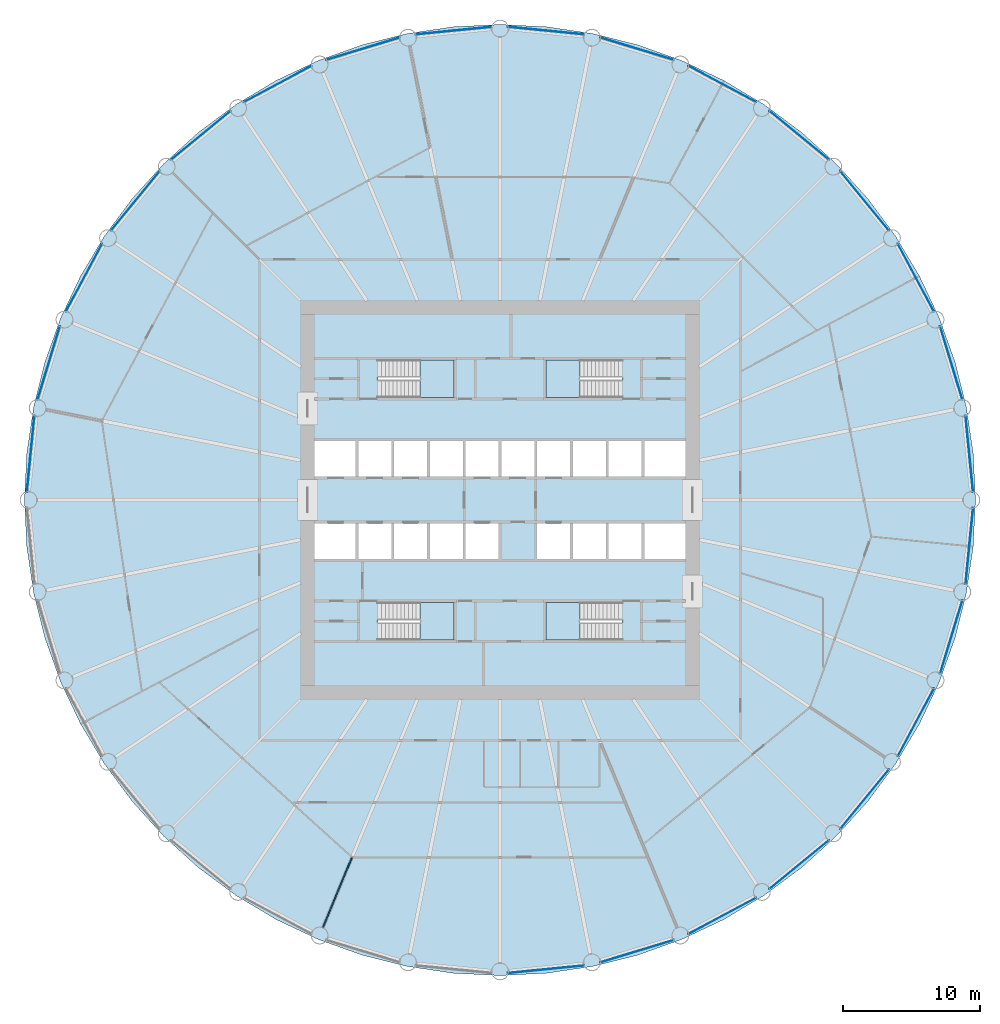
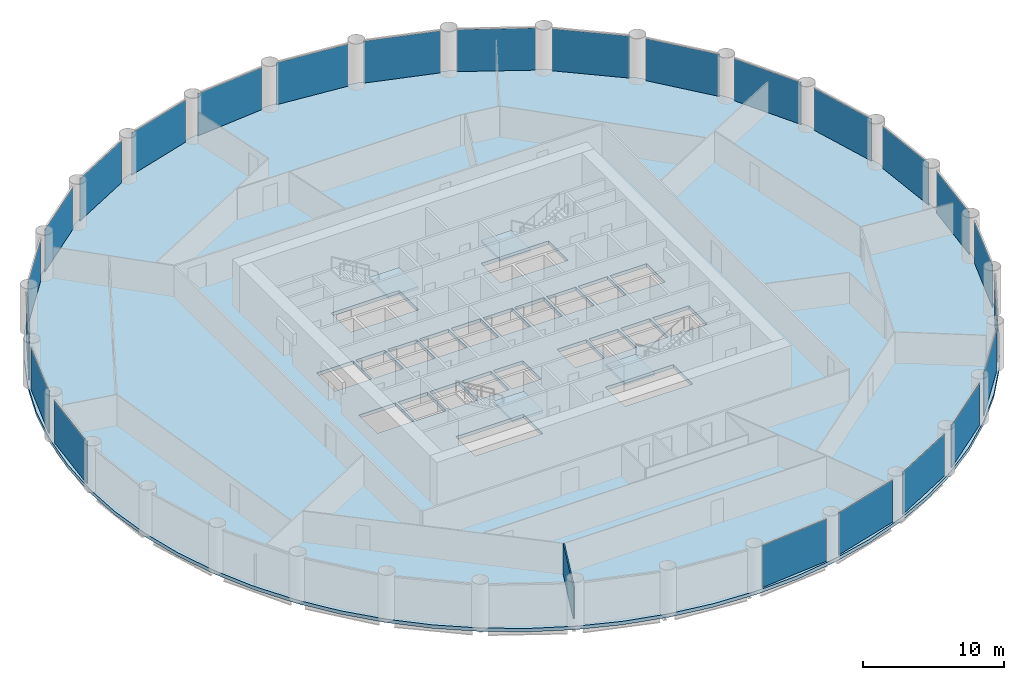
# One storey, part 3 of 8: 24 plates, 5 slabs, 1 wall, 28 elements without a shape of their own.
"""IFC4 building model written with IfcOpenShell, lengths in metres."""

from ifc_helpers import new_model, si_unit, direction, frame, frame_2d, origin, origin_2d, place, context, subcontext, project, spatial, polyline, rectangle, outline, extrude, material, layer, layer_set, type_object, element, aggregate, save


model = new_model("IFC4")

# Units and contexts
model_context = context("Model", 3, precision=1e-05, world=origin(), true_north=direction((0.0, 1.0)))
body_context = subcontext(model_context, "Body", "Model", "MODEL_VIEW")
ifc_project = project(units=[si_unit("LENGTHUNIT", "METRE"), si_unit("AREAUNIT", "SQUARE_METRE"), si_unit("VOLUMEUNIT", "CUBIC_METRE"), si_unit("PLANEANGLEUNIT", "RADIAN"), si_unit("MASSUNIT", "GRAM", prefix="KILO")], contexts=[model_context])

# Site, building, storey
site_placement = place(None, origin())
site = spatial("IfcSite", under=ifc_project, at=site_placement, CompositionType="ELEMENT")
building_placement = place(site_placement, origin())
building = spatial("IfcBuilding", under=site, at=building_placement, Name="Corvane Civic Tower", CompositionType="ELEMENT")
storey_placement = place(building_placement, frame((0.0, 0.0, 110.5)))
storey = spatial("IfcBuildingStorey", under=building, at=storey_placement, Name="L25", CompositionType="ELEMENT", Elevation=110.5)

# Slab
ifc_material_1 = material(Name="Concrete C40/50", Category="concrete")
ifc_layer_1 = layer(ifc_material_1, 0.300048828125)
ifc_layer_set_1 = layer_set([ifc_layer_1], Name="Concrete C40/50")
slab_type_1 = type_object("IfcSlabType", Name="FLOOR SLAB 300", PredefinedType="FLOOR", material=ifc_layer_set_1)
slab_1_placement = place(storey_placement, frame((0.0, 0.0, -0.300048828125)))
element("IfcSlab", 1, at=slab_1_placement, inside=storey, type_object=slab_type_1, Name="SLB-L25", PredefinedType="FLOOR", context=body_context, shape_type="SweptSolid", body=[
    extrude(outline(polyline([(0.0, 34.60009765625), (-3.391357421875, 34.433349609375), (-6.750244140625, 33.93505859375), (-10.0439453125, 33.110107421875), (-13.240966796875, 31.96630859375), (-16.310302734375, 30.514404296875), (-19.22265625, 28.768798828125), (-21.949951171875, 26.74609375), (-24.4658203125, 24.4658203125), (-26.74609375, 21.949951171875), (-28.768798828125, 19.22265625), (-30.514404296875, 16.310302734375), (-31.96630859375, 13.240966796875), (-33.110107421875, 10.0439453125), (-33.93505859375, 6.750244140625), (-34.433349609375, 3.391357421875), (-34.60009765625, 0.0), (-34.433349609375, -3.391357421875), (-33.93505859375, -6.750244140625), (-33.110107421875, -10.0439453125), (-31.96630859375, -13.240966796875), (-30.514404296875, -16.310302734375), (-28.768798828125, -19.22265625), (-26.74609375, -21.949951171875), (-24.4658203125, -24.4658203125), (-21.949951171875, -26.74609375), (-19.22265625, -28.768798828125), (-16.310302734375, -30.514404296875), (-13.240966796875, -31.96630859375), (-10.0439453125, -33.110107421875), (-6.750244140625, -33.93505859375), (-3.391357421875, -34.433349609375), (0.0, -34.60009765625), (3.391357421875, -34.433349609375), (6.750244140625, -33.93505859375), (10.0439453125, -33.110107421875), (13.240966796875, -31.96630859375), (16.310302734375, -30.514404296875), (19.22265625, -28.768798828125), (21.949951171875, -26.74609375), (24.4658203125, -24.4658203125), (26.74609375, -21.949951171875), (28.768798828125, -19.22265625), (30.514404296875, -16.310302734375), (31.96630859375, -13.240966796875), (33.110107421875, -10.0439453125), (33.93505859375, -6.750244140625), (34.433349609375, -3.391357421875), (34.60009765625, 0.0), (34.433349609375, 3.391357421875), (33.93505859375, 6.750244140625), (33.110107421875, 10.0439453125), (31.96630859375, 13.240966796875), (30.514404296875, 16.310302734375), (28.768798828125, 19.22265625), (26.74609375, 21.949951171875), (24.4658203125, 24.4658203125), (21.949951171875, 26.74609375), (19.22265625, 28.768798828125), (16.310302734375, 30.514404296875), (13.240966796875, 31.96630859375), (10.0439453125, 33.110107421875), (6.750244140625, 33.93505859375), (3.391357421875, 34.433349609375), (0.0, 34.60009765625)]), holes=[polyline([(-13.5, 4.300048828125), (-10.5, 4.300048828125), (-10.5, 1.699951171875), (-13.5, 1.699951171875), (-13.5, 4.300048828125)]), polyline([(-7.89990234375, 1.699951171875), (-10.300048828125, 1.699951171875), (-10.300048828125, 4.300048828125), (-7.89990234375, 4.300048828125), (-7.89990234375, 1.699951171875)]), polyline([(-7.699951171875, 4.300048828125), (-5.300048828125, 4.300048828125), (-5.300048828125, 1.699951171875), (-7.699951171875, 1.699951171875), (-7.699951171875, 4.300048828125)]), polyline([(-5.10009765625, 4.300048828125), (-2.699951171875, 4.300048828125), (-2.699951171875, 1.699951171875), (-5.10009765625, 1.699951171875), (-5.10009765625, 4.300048828125)]), polyline([(-2.5, 4.300048828125), (-0.10009765625, 4.300048828125), (-0.10009765625, 1.699951171875), (-2.5, 1.699951171875), (-2.5, 4.300048828125)]), polyline([(2.5, 4.300048828125), (2.5, 1.699951171875), (0.10009765625, 1.699951171875), (0.10009765625, 4.300048828125), (2.5, 4.300048828125)]), polyline([(2.699951171875, 4.300048828125), (5.10009765625, 4.300048828125), (5.10009765625, 1.699951171875), (2.699951171875, 1.699951171875), (2.699951171875, 4.300048828125)]), polyline([(5.300048828125, 4.300048828125), (7.699951171875, 4.300048828125), (7.699951171875, 1.699951171875), (5.300048828125, 1.699951171875), (5.300048828125, 4.300048828125)]), polyline([(7.89990234375, 4.300048828125), (10.300048828125, 4.300048828125), (10.300048828125, 1.699951171875), (7.89990234375, 1.699951171875), (7.89990234375, 4.300048828125)]), polyline([(13.5, 1.699951171875), (10.5, 1.699951171875), (10.5, 4.300048828125), (13.5, 4.300048828125), (13.5, 1.699951171875)]), polyline([(-13.5, -1.699951171875), (-10.5, -1.699951171875), (-10.5, -4.300048828125), (-13.5, -4.300048828125), (-13.5, -1.699951171875)]), polyline([(-10.300048828125, -1.699951171875), (-7.89990234375, -1.699951171875), (-7.89990234375, -4.300048828125), (-10.300048828125, -4.300048828125), (-10.300048828125, -1.699951171875)]), polyline([(-7.699951171875, -1.699951171875), (-5.300048828125, -1.699951171875), (-5.300048828125, -4.300048828125), (-7.699951171875, -4.300048828125), (-7.699951171875, -1.699951171875)]), polyline([(-5.10009765625, -1.699951171875), (-2.699951171875, -1.699951171875), (-2.699951171875, -4.300048828125), (-5.10009765625, -4.300048828125), (-5.10009765625, -1.699951171875)]), polyline([(-2.5, -1.699951171875), (-0.10009765625, -1.699951171875), (-0.10009765625, -4.300048828125), (-2.5, -4.300048828125), (-2.5, -1.699951171875)]), polyline([(2.699951171875, -1.699951171875), (5.10009765625, -1.699951171875), (5.10009765625, -4.300048828125), (2.699951171875, -4.300048828125), (2.699951171875, -1.699951171875)]), polyline([(5.300048828125, -1.699951171875), (7.699951171875, -1.699951171875), (7.699951171875, -4.300048828125), (5.300048828125, -4.300048828125), (5.300048828125, -1.699951171875)]), polyline([(7.89990234375, -4.300048828125), (7.89990234375, -1.699951171875), (10.300048828125, -1.699951171875), (10.300048828125, -4.300048828125), (7.89990234375, -4.300048828125)]), polyline([(13.5, -4.300048828125), (10.5, -4.300048828125), (10.5, -1.699951171875), (13.5, -1.699951171875), (13.5, -4.300048828125)]), polyline([(8.889892578125, 10.199951171875), (8.889892578125, 7.449951171875), (3.35009765625, 7.449951171875), (3.35009765625, 10.199951171875), (8.889892578125, 10.199951171875)]), polyline([(-8.889892578125, 7.449951171875), (-8.889892578125, 10.199951171875), (-3.35009765625, 10.199951171875), (-3.35009765625, 7.449951171875), (-8.889892578125, 7.449951171875)]), polyline([(8.889892578125, -7.449951171875), (8.889892578125, -10.199951171875), (3.35009765625, -10.199951171875), (3.35009765625, -7.449951171875), (8.889892578125, -7.449951171875)]), polyline([(-8.889892578125, -10.199951171875), (-8.889892578125, -7.449951171875), (-3.35009765625, -7.449951171875), (-3.35009765625, -10.199951171875), (-8.889892578125, -10.199951171875)])]), origin(), (0.0, 0.0, 1.0), 0.300048828125),
])

# Stair, slab
ifc_material_2 = material(Name="Concrete C40/50", Category="concrete")
stair_type = type_object("IfcStairType", Name="ST-STAIR-HALFTURN", PredefinedType="HALF_TURN_STAIR", material=ifc_material_2)
stair_1_placement = place(storey_placement, origin())
stair_1 = element("IfcStair", 2, at=stair_1_placement, inside=storey, type_object=stair_type, Name="L25 Exit stair ST1", PredefinedType="HALF_TURN_STAIR")
ifc_material_3 = material(Name="Concrete C40/50", Category="concrete")
ifc_layer_2 = layer(ifc_material_3, 0.199951171875)
ifc_layer_set_2 = layer_set([ifc_layer_2], Name="Concrete C40/50")
slab_type_2 = type_object("IfcSlabType", Name="ST-LANDING-RC", PredefinedType="LANDING", material=ifc_layer_set_2)
slab_2_placement = place(storey_placement, frame((0.0, 0.0, 1.800048828125)))
slab_2 = element("IfcSlab", 3, at=slab_2_placement, type_object=slab_type_2, Name="ST1 landing 1", PredefinedType="LANDING", context=body_context, shape_type="SweptSolid", body=[
    extrude(outline(polyline([(5.820068359375, 10.199951171875), (3.35009765625, 10.199951171875), (3.35009765625, 7.449951171875), (5.820068359375, 7.449951171875), (5.820068359375, 10.199951171875)])), origin(), (0.0, 0.0, 1.0), 0.199951171875),
])
aggregate(stair_1, [slab_2])

stair_2_placement = place(storey_placement, origin())
stair_2 = element("IfcStair", 4, at=stair_2_placement, inside=storey, type_object=stair_type, Name="L25 Exit stair ST2", PredefinedType="HALF_TURN_STAIR")
slab_3_placement = place(storey_placement, frame((0.0, 0.0, 1.800048828125)))
slab_3 = element("IfcSlab", 5, at=slab_3_placement, type_object=slab_type_2, Name="ST2 landing 1", PredefinedType="LANDING", context=body_context, shape_type="SweptSolid", body=[
    extrude(outline(polyline([(5.820068359375, -7.449951171875), (3.35009765625, -7.449951171875), (3.35009765625, -10.199951171875), (5.820068359375, -10.199951171875), (5.820068359375, -7.449951171875)])), origin(), (0.0, 0.0, 1.0), 0.199951171875),
])
aggregate(stair_2, [slab_3])

stair_3_placement = place(storey_placement, origin())
stair_3 = element("IfcStair", 6, at=stair_3_placement, inside=storey, type_object=stair_type, Name="L25 Exit stair ST3", PredefinedType="HALF_TURN_STAIR")
slab_4_placement = place(storey_placement, frame((0.0, 0.0, 1.800048828125)))
slab_4 = element("IfcSlab", 7, at=slab_4_placement, type_object=slab_type_2, Name="ST3 landing 1", PredefinedType="LANDING", context=body_context, shape_type="SweptSolid", body=[
    extrude(outline(polyline([(-5.820068359375, -10.199951171875), (-3.35009765625, -10.199951171875), (-3.35009765625, -7.449951171875), (-5.820068359375, -7.449951171875), (-5.820068359375, -10.199951171875)])), origin(), (0.0, 0.0, 1.0), 0.199951171875),
])
aggregate(stair_3, [slab_4])

stair_4_placement = place(storey_placement, origin())
stair_4 = element("IfcStair", 8, at=stair_4_placement, inside=storey, type_object=stair_type, Name="L25 Exit stair ST4", PredefinedType="HALF_TURN_STAIR")
slab_5_placement = place(storey_placement, frame((0.0, 0.0, 1.800048828125)))
slab_5 = element("IfcSlab", 9, at=slab_5_placement, type_object=slab_type_2, Name="ST4 landing 1", PredefinedType="LANDING", context=body_context, shape_type="SweptSolid", body=[
    extrude(outline(polyline([(-5.820068359375, 7.449951171875), (-3.35009765625, 7.449951171875), (-3.35009765625, 10.199951171875), (-5.820068359375, 10.199951171875), (-5.820068359375, 7.449951171875)])), origin(), (0.0, 0.0, 1.0), 0.199951171875),
])
aggregate(stair_4, [slab_5])

# Curtain wall, plate
ifc_material_4 = material(Name="Anodised aluminium bronze", Category="aluminium")
curtain_wall_type = type_object("IfcCurtainWallType", Name="TOWER CW-T1 STICK CURTAIN WALL", PredefinedType="NOTDEFINED", material=ifc_material_4)
curtain_wall_1_placement = place(storey_placement, origin())
curtain_wall_1 = element("IfcCurtainWall", 10, at=curtain_wall_1_placement, inside=storey, type_object=curtain_wall_type, Name="Curtain wall CW-T1 L25 bay 01", PredefinedType="NOTDEFINED")
ifc_material_5 = material(Name="Tinted glass", Category="glass")
ifc_layer_3 = layer(ifc_material_5, 0.035888671875)
ifc_layer_set_3 = layer_set([ifc_layer_3], Name="Tinted glass")
plate_type = type_object("IfcPlateType", Name="TOWER CW-T1 PANEL IGU36", PredefinedType="CURTAIN_PANEL", material=ifc_layer_set_3)
plate_1_placement = place(storey_placement, frame((3.36328125, 34.148681640625, 0.0), z_axis=(0.0, 0.0, 1.0), x_axis=(0.995183788169, -0.098026668644, 0.0)))
plate_1 = element("IfcPlate", 11, at=plate_1_placement, type_object=plate_type, Name="Glass panel CW-T1 L25 01.1", PredefinedType="CURTAIN_PANEL", context=body_context, shape_type="SweptSolid", body=[
    extrude(rectangle(XDim=5.58642578125, YDim=0.035888671875, at=origin_2d()), origin(), (0.0, 0.0, 1.0), 3.6298828125),
])
aggregate(curtain_wall_1, [plate_1])

curtain_wall_2_placement = place(storey_placement, origin())
curtain_wall_2 = element("IfcCurtainWall", 12, at=curtain_wall_2_placement, inside=storey, type_object=curtain_wall_type, Name="Curtain wall CW-T1 L25 bay 02", PredefinedType="NOTDEFINED")
plate_2_placement = place(storey_placement, frame((9.9609375, 32.83642578125, 0.0), z_axis=(0.0, 0.0, 1.0), x_axis=(0.956945991488, -0.290266032073, 0.0)))
plate_2 = element("IfcPlate", 13, at=plate_2_placement, type_object=plate_type, Name="Glass panel CW-T1 L25 02.1", PredefinedType="CURTAIN_PANEL", context=body_context, shape_type="SweptSolid", body=[
    extrude(rectangle(XDim=5.58642578125, YDim=0.035888671875, at=origin_2d()), origin(), (0.0, 0.0, 1.0), 3.6298828125),
])
aggregate(curtain_wall_2, [plate_2])

curtain_wall_3_placement = place(storey_placement, origin())
curtain_wall_3 = element("IfcCurtainWall", 14, at=curtain_wall_3_placement, inside=storey, type_object=curtain_wall_type, Name="Curtain wall CW-T1 L25 bay 03", PredefinedType="NOTDEFINED")
plate_3_placement = place(storey_placement, frame((16.175537109375, 30.26220703125, 0.0), z_axis=(0.0, 0.0, 1.0), x_axis=(0.881923642976, -0.471392286699, 0.0)))
plate_3 = element("IfcPlate", 15, at=plate_3_placement, type_object=plate_type, Name="Glass panel CW-T1 L25 03.1", PredefinedType="CURTAIN_PANEL", context=body_context, shape_type="SweptSolid", body=[
    extrude(rectangle(XDim=5.586669921875, YDim=0.035888671875, at=origin_2d()), origin(), (0.0, 0.0, 1.0), 3.6298828125),
])
aggregate(curtain_wall_3, [plate_3])

curtain_wall_4_placement = place(storey_placement, origin())
curtain_wall_4 = element("IfcCurtainWall", 16, at=curtain_wall_4_placement, inside=storey, type_object=curtain_wall_type, Name="Curtain wall CW-T1 L25 bay 04", PredefinedType="NOTDEFINED")
plate_4_placement = place(storey_placement, frame((21.7685546875, 26.525146484375, 0.0), z_axis=(0.0, 0.0, 1.0), x_axis=(0.773013419843, -0.63438966948, 0.0)))
plate_4 = element("IfcPlate", 17, at=plate_4_placement, type_object=plate_type, Name="Glass panel CW-T1 L25 04.1", PredefinedType="CURTAIN_PANEL", context=body_context, shape_type="SweptSolid", body=[
    extrude(rectangle(XDim=5.58642578125, YDim=0.035888671875, at=origin_2d()), origin(), (0.0, 0.0, 1.0), 3.6298828125),
])
aggregate(curtain_wall_4, [plate_4])

curtain_wall_5_placement = place(storey_placement, origin())
curtain_wall_5 = element("IfcCurtainWall", 18, at=curtain_wall_5_placement, inside=storey, type_object=curtain_wall_type, Name="Curtain wall CW-T1 L25 bay 05", PredefinedType="NOTDEFINED")
plate_5_placement = place(storey_placement, frame((26.525146484375, 21.7685546875, 0.0), z_axis=(0.0, 0.0, 1.0), x_axis=(0.63438966948, -0.773013419843, 0.0)))
plate_5 = element("IfcPlate", 19, at=plate_5_placement, type_object=plate_type, Name="Glass panel CW-T1 L25 05.1", PredefinedType="CURTAIN_PANEL", context=body_context, shape_type="SweptSolid", body=[
    extrude(rectangle(XDim=5.58642578125, YDim=0.035888671875, at=origin_2d()), origin(), (0.0, 0.0, 1.0), 3.6298828125),
])
aggregate(curtain_wall_5, [plate_5])

curtain_wall_6_placement = place(storey_placement, origin())
curtain_wall_6 = element("IfcCurtainWall", 20, at=curtain_wall_6_placement, inside=storey, type_object=curtain_wall_type, Name="Curtain wall CW-T1 L25 bay 06", PredefinedType="NOTDEFINED")
plate_6_placement = place(storey_placement, frame((30.26220703125, 16.175537109375, 0.0), z_axis=(0.0, 0.0, 1.0), x_axis=(0.471392286699, -0.881923642976, 0.0)))
plate_6 = element("IfcPlate", 21, at=plate_6_placement, type_object=plate_type, Name="Glass panel CW-T1 L25 06.1", PredefinedType="CURTAIN_PANEL", context=body_context, shape_type="SweptSolid", body=[
    extrude(rectangle(XDim=5.586669921875, YDim=0.035888671875, at=origin_2d()), origin(), (0.0, 0.0, 1.0), 3.6298828125),
])
aggregate(curtain_wall_6, [plate_6])

curtain_wall_7_placement = place(storey_placement, origin())
curtain_wall_7 = element("IfcCurtainWall", 22, at=curtain_wall_7_placement, inside=storey, type_object=curtain_wall_type, Name="Curtain wall CW-T1 L25 bay 07", PredefinedType="NOTDEFINED")
plate_7_placement = place(storey_placement, frame((32.83642578125, 9.9609375, 0.0), z_axis=(0.0, 0.0, 1.0), x_axis=(0.290266032073, -0.956945991488, 0.0)))
plate_7 = element("IfcPlate", 23, at=plate_7_placement, type_object=plate_type, Name="Glass panel CW-T1 L25 07.1", PredefinedType="CURTAIN_PANEL", context=body_context, shape_type="SweptSolid", body=[
    extrude(rectangle(XDim=5.58642578125, YDim=0.035888671875, at=origin_2d()), origin(), (0.0, 0.0, 1.0), 3.6298828125),
])
aggregate(curtain_wall_7, [plate_7])

curtain_wall_8_placement = place(storey_placement, origin())
curtain_wall_8 = element("IfcCurtainWall", 24, at=curtain_wall_8_placement, inside=storey, type_object=curtain_wall_type, Name="Curtain wall CW-T1 L25 bay 08", PredefinedType="NOTDEFINED")
plate_8_placement = place(storey_placement, frame((34.148681640625, 3.36328125, 0.0), z_axis=(0.0, 0.0, 1.0), x_axis=(0.098026668644, -0.995183788169, 0.0)))
plate_8 = element("IfcPlate", 25, at=plate_8_placement, type_object=plate_type, Name="Glass panel CW-T1 L25 08.1", PredefinedType="CURTAIN_PANEL", context=body_context, shape_type="SweptSolid", body=[
    extrude(rectangle(XDim=5.58642578125, YDim=0.035888671875, at=origin_2d()), origin(), (0.0, 0.0, 1.0), 3.6298828125),
])
aggregate(curtain_wall_8, [plate_8])

curtain_wall_9_placement = place(storey_placement, origin())
curtain_wall_9 = element("IfcCurtainWall", 26, at=curtain_wall_9_placement, inside=storey, type_object=curtain_wall_type, Name="Curtain wall CW-T1 L25 bay 09", PredefinedType="NOTDEFINED")
plate_9_placement = place(storey_placement, frame((34.148681640625, -3.36328125, 0.0), z_axis=(0.0, 0.0, 1.0), x_axis=(-0.098026668644, -0.995183788169, 0.0)))
plate_9 = element("IfcPlate", 27, at=plate_9_placement, type_object=plate_type, Name="Glass panel CW-T1 L25 09.1", PredefinedType="CURTAIN_PANEL", context=body_context, shape_type="SweptSolid", body=[
    extrude(rectangle(XDim=5.58642578125, YDim=0.035888671875, at=origin_2d()), origin(), (0.0, 0.0, 1.0), 3.6298828125),
])
aggregate(curtain_wall_9, [plate_9])

curtain_wall_10_placement = place(storey_placement, origin())
curtain_wall_10 = element("IfcCurtainWall", 28, at=curtain_wall_10_placement, inside=storey, type_object=curtain_wall_type, Name="Curtain wall CW-T1 L25 bay 10", PredefinedType="NOTDEFINED")
plate_10_placement = place(storey_placement, frame((32.83642578125, -9.9609375, 0.0), z_axis=(0.0, 0.0, 1.0), x_axis=(-0.290266032073, -0.956945991488, 0.0)))
plate_10 = element("IfcPlate", 29, at=plate_10_placement, type_object=plate_type, Name="Glass panel CW-T1 L25 10.1", PredefinedType="CURTAIN_PANEL", context=body_context, shape_type="SweptSolid", body=[
    extrude(rectangle(XDim=5.58642578125, YDim=0.035888671875, at=origin_2d()), origin(), (0.0, 0.0, 1.0), 3.6298828125),
])
aggregate(curtain_wall_10, [plate_10])

curtain_wall_11_placement = place(storey_placement, origin())
curtain_wall_11 = element("IfcCurtainWall", 30, at=curtain_wall_11_placement, inside=storey, type_object=curtain_wall_type, Name="Curtain wall CW-T1 L25 bay 11", PredefinedType="NOTDEFINED")
plate_11_placement = place(storey_placement, frame((30.26220703125, -16.175537109375, 0.0), z_axis=(0.0, 0.0, 1.0), x_axis=(-0.471392286699, -0.881923642976, 0.0)))
plate_11 = element("IfcPlate", 31, at=plate_11_placement, type_object=plate_type, Name="Glass panel CW-T1 L25 11.1", PredefinedType="CURTAIN_PANEL", context=body_context, shape_type="SweptSolid", body=[
    extrude(rectangle(XDim=5.586669921875, YDim=0.035888671875, at=origin_2d()), origin(), (0.0, 0.0, 1.0), 3.6298828125),
])
aggregate(curtain_wall_11, [plate_11])

curtain_wall_12_placement = place(storey_placement, origin())
curtain_wall_12 = element("IfcCurtainWall", 32, at=curtain_wall_12_placement, inside=storey, type_object=curtain_wall_type, Name="Curtain wall CW-T1 L25 bay 12", PredefinedType="NOTDEFINED")
plate_12_placement = place(storey_placement, frame((26.525146484375, -21.7685546875, 0.0), z_axis=(0.0, 0.0, 1.0), x_axis=(-0.63438966948, -0.773013419843, 0.0)))
plate_12 = element("IfcPlate", 33, at=plate_12_placement, type_object=plate_type, Name="Glass panel CW-T1 L25 12.1", PredefinedType="CURTAIN_PANEL", context=body_context, shape_type="SweptSolid", body=[
    extrude(rectangle(XDim=5.58642578125, YDim=0.035888671875, at=origin_2d()), origin(), (0.0, 0.0, 1.0), 3.6298828125),
])
aggregate(curtain_wall_12, [plate_12])

curtain_wall_13_placement = place(storey_placement, origin())
curtain_wall_13 = element("IfcCurtainWall", 34, at=curtain_wall_13_placement, inside=storey, type_object=curtain_wall_type, Name="Curtain wall CW-T1 L25 bay 13", PredefinedType="NOTDEFINED")
plate_13_placement = place(storey_placement, frame((21.7685546875, -26.525146484375, 0.0), z_axis=(0.0, 0.0, 1.0), x_axis=(-0.773013419843, -0.63438966948, 0.0)))
plate_13 = element("IfcPlate", 35, at=plate_13_placement, type_object=plate_type, Name="Glass panel CW-T1 L25 13.1", PredefinedType="CURTAIN_PANEL", context=body_context, shape_type="SweptSolid", body=[
    extrude(rectangle(XDim=5.58642578125, YDim=0.035888671875, at=origin_2d()), origin(), (0.0, 0.0, 1.0), 3.6298828125),
])
aggregate(curtain_wall_13, [plate_13])

curtain_wall_14_placement = place(storey_placement, origin())
curtain_wall_14 = element("IfcCurtainWall", 36, at=curtain_wall_14_placement, inside=storey, type_object=curtain_wall_type, Name="Curtain wall CW-T1 L25 bay 14", PredefinedType="NOTDEFINED")
plate_14_placement = place(storey_placement, frame((16.175537109375, -30.26220703125, 0.0), z_axis=(0.0, 0.0, 1.0), x_axis=(-0.881923642976, -0.471392286699, 0.0)))
plate_14 = element("IfcPlate", 37, at=plate_14_placement, type_object=plate_type, Name="Glass panel CW-T1 L25 14.1", PredefinedType="CURTAIN_PANEL", context=body_context, shape_type="SweptSolid", body=[
    extrude(rectangle(XDim=5.586669921875, YDim=0.035888671875, at=origin_2d()), origin(), (0.0, 0.0, 1.0), 3.6298828125),
])
aggregate(curtain_wall_14, [plate_14])

curtain_wall_15_placement = place(storey_placement, origin())
curtain_wall_15 = element("IfcCurtainWall", 38, at=curtain_wall_15_placement, inside=storey, type_object=curtain_wall_type, Name="Curtain wall CW-T1 L25 bay 15", PredefinedType="NOTDEFINED")
plate_15_placement = place(storey_placement, frame((9.9609375, -32.83642578125, 0.0), z_axis=(0.0, 0.0, 1.0), x_axis=(-0.956945991488, -0.290266032073, 0.0)))
plate_15 = element("IfcPlate", 39, at=plate_15_placement, type_object=plate_type, Name="Glass panel CW-T1 L25 15.1", PredefinedType="CURTAIN_PANEL", context=body_context, shape_type="SweptSolid", body=[
    extrude(rectangle(XDim=5.58642578125, YDim=0.035888671875, at=origin_2d()), origin(), (0.0, 0.0, 1.0), 3.6298828125),
])
aggregate(curtain_wall_15, [plate_15])

curtain_wall_16_placement = place(storey_placement, origin())
curtain_wall_16 = element("IfcCurtainWall", 40, at=curtain_wall_16_placement, inside=storey, type_object=curtain_wall_type, Name="Curtain wall CW-T1 L25 bay 16", PredefinedType="NOTDEFINED")
plate_16_placement = place(storey_placement, frame((3.36328125, -34.148681640625, 0.0), z_axis=(0.0, 0.0, 1.0), x_axis=(-0.995183788169, -0.098026668644, 0.0)))
plate_16 = element("IfcPlate", 41, at=plate_16_placement, type_object=plate_type, Name="Glass panel CW-T1 L25 16.1", PredefinedType="CURTAIN_PANEL", context=body_context, shape_type="SweptSolid", body=[
    extrude(rectangle(XDim=5.58642578125, YDim=0.035888671875, at=origin_2d()), origin(), (0.0, 0.0, 1.0), 3.6298828125),
])
aggregate(curtain_wall_16, [plate_16])

curtain_wall_17_placement = place(storey_placement, origin())
curtain_wall_17 = element("IfcCurtainWall", 42, at=curtain_wall_17_placement, inside=storey, type_object=curtain_wall_type, Name="Curtain wall CW-T1 L25 bay 25", PredefinedType="NOTDEFINED")
plate_17_placement = place(storey_placement, frame((-34.148681640625, 3.36328125, 0.0), z_axis=(0.0, 0.0, 1.0), x_axis=(0.098026668644, 0.995183788169, 0.0)))
plate_17 = element("IfcPlate", 43, at=plate_17_placement, type_object=plate_type, Name="Glass panel CW-T1 L25 25.1", PredefinedType="CURTAIN_PANEL", context=body_context, shape_type="SweptSolid", body=[
    extrude(rectangle(XDim=5.58642578125, YDim=0.035888671875, at=origin_2d()), origin(), (0.0, 0.0, 1.0), 3.6298828125),
])
aggregate(curtain_wall_17, [plate_17])

curtain_wall_18_placement = place(storey_placement, origin())
curtain_wall_18 = element("IfcCurtainWall", 44, at=curtain_wall_18_placement, inside=storey, type_object=curtain_wall_type, Name="Curtain wall CW-T1 L25 bay 26", PredefinedType="NOTDEFINED")
plate_18_placement = place(storey_placement, frame((-32.83642578125, 9.9609375, 0.0), z_axis=(0.0, 0.0, 1.0), x_axis=(0.290266032073, 0.956945991488, 0.0)))
plate_18 = element("IfcPlate", 45, at=plate_18_placement, type_object=plate_type, Name="Glass panel CW-T1 L25 26.1", PredefinedType="CURTAIN_PANEL", context=body_context, shape_type="SweptSolid", body=[
    extrude(rectangle(XDim=5.58642578125, YDim=0.035888671875, at=origin_2d()), origin(), (0.0, 0.0, 1.0), 3.6298828125),
])
aggregate(curtain_wall_18, [plate_18])

curtain_wall_19_placement = place(storey_placement, origin())
curtain_wall_19 = element("IfcCurtainWall", 46, at=curtain_wall_19_placement, inside=storey, type_object=curtain_wall_type, Name="Curtain wall CW-T1 L25 bay 27", PredefinedType="NOTDEFINED")
plate_19_placement = place(storey_placement, frame((-30.26220703125, 16.175537109375, 0.0), z_axis=(0.0, 0.0, 1.0), x_axis=(0.471392286699, 0.881923642976, 0.0)))
plate_19 = element("IfcPlate", 47, at=plate_19_placement, type_object=plate_type, Name="Glass panel CW-T1 L25 27.1", PredefinedType="CURTAIN_PANEL", context=body_context, shape_type="SweptSolid", body=[
    extrude(rectangle(XDim=5.586669921875, YDim=0.035888671875, at=origin_2d()), origin(), (0.0, 0.0, 1.0), 3.6298828125),
])
aggregate(curtain_wall_19, [plate_19])

curtain_wall_20_placement = place(storey_placement, origin())
curtain_wall_20 = element("IfcCurtainWall", 48, at=curtain_wall_20_placement, inside=storey, type_object=curtain_wall_type, Name="Curtain wall CW-T1 L25 bay 28", PredefinedType="NOTDEFINED")
plate_20_placement = place(storey_placement, frame((-26.525146484375, 21.7685546875, 0.0), z_axis=(0.0, 0.0, 1.0), x_axis=(0.63438966948, 0.773013419843, 0.0)))
plate_20 = element("IfcPlate", 49, at=plate_20_placement, type_object=plate_type, Name="Glass panel CW-T1 L25 28.1", PredefinedType="CURTAIN_PANEL", context=body_context, shape_type="SweptSolid", body=[
    extrude(rectangle(XDim=5.58642578125, YDim=0.035888671875, at=origin_2d()), origin(), (0.0, 0.0, 1.0), 3.6298828125),
])
aggregate(curtain_wall_20, [plate_20])

curtain_wall_21_placement = place(storey_placement, origin())
curtain_wall_21 = element("IfcCurtainWall", 50, at=curtain_wall_21_placement, inside=storey, type_object=curtain_wall_type, Name="Curtain wall CW-T1 L25 bay 29", PredefinedType="NOTDEFINED")
plate_21_placement = place(storey_placement, frame((-21.7685546875, 26.525146484375, 0.0), z_axis=(0.0, 0.0, 1.0), x_axis=(0.773013419843, 0.63438966948, 0.0)))
plate_21 = element("IfcPlate", 51, at=plate_21_placement, type_object=plate_type, Name="Glass panel CW-T1 L25 29.1", PredefinedType="CURTAIN_PANEL", context=body_context, shape_type="SweptSolid", body=[
    extrude(rectangle(XDim=5.58642578125, YDim=0.035888671875, at=origin_2d()), origin(), (0.0, 0.0, 1.0), 3.6298828125),
])
aggregate(curtain_wall_21, [plate_21])

curtain_wall_22_placement = place(storey_placement, origin())
curtain_wall_22 = element("IfcCurtainWall", 52, at=curtain_wall_22_placement, inside=storey, type_object=curtain_wall_type, Name="Curtain wall CW-T1 L25 bay 30", PredefinedType="NOTDEFINED")
plate_22_placement = place(storey_placement, frame((-16.175537109375, 30.26220703125, 0.0), z_axis=(0.0, 0.0, 1.0), x_axis=(0.881923642976, 0.471392286699, 0.0)))
plate_22 = element("IfcPlate", 53, at=plate_22_placement, type_object=plate_type, Name="Glass panel CW-T1 L25 30.1", PredefinedType="CURTAIN_PANEL", context=body_context, shape_type="SweptSolid", body=[
    extrude(rectangle(XDim=5.586669921875, YDim=0.035888671875, at=origin_2d()), origin(), (0.0, 0.0, 1.0), 3.6298828125),
])
aggregate(curtain_wall_22, [plate_22])

curtain_wall_23_placement = place(storey_placement, origin())
curtain_wall_23 = element("IfcCurtainWall", 54, at=curtain_wall_23_placement, inside=storey, type_object=curtain_wall_type, Name="Curtain wall CW-T1 L25 bay 31", PredefinedType="NOTDEFINED")
plate_23_placement = place(storey_placement, frame((-9.9609375, 32.83642578125, 0.0), z_axis=(0.0, 0.0, 1.0), x_axis=(0.956945991488, 0.290266032073, 0.0)))
plate_23 = element("IfcPlate", 55, at=plate_23_placement, type_object=plate_type, Name="Glass panel CW-T1 L25 31.1", PredefinedType="CURTAIN_PANEL", context=body_context, shape_type="SweptSolid", body=[
    extrude(rectangle(XDim=5.58642578125, YDim=0.035888671875, at=origin_2d()), origin(), (0.0, 0.0, 1.0), 3.6298828125),
])
aggregate(curtain_wall_23, [plate_23])

curtain_wall_24_placement = place(storey_placement, origin())
curtain_wall_24 = element("IfcCurtainWall", 56, at=curtain_wall_24_placement, inside=storey, type_object=curtain_wall_type, Name="Curtain wall CW-T1 L25 bay 32", PredefinedType="NOTDEFINED")
plate_24_placement = place(storey_placement, frame((-3.36328125, 34.148681640625, 0.0), z_axis=(0.0, 0.0, 1.0), x_axis=(0.995183788169, 0.098026668644, 0.0)))
plate_24 = element("IfcPlate", 57, at=plate_24_placement, type_object=plate_type, Name="Glass panel CW-T1 L25 32.1", PredefinedType="CURTAIN_PANEL", context=body_context, shape_type="SweptSolid", body=[
    extrude(rectangle(XDim=5.58642578125, YDim=0.035888671875, at=origin_2d()), origin(), (0.0, 0.0, 1.0), 3.6298828125),
])
aggregate(curtain_wall_24, [plate_24])

# Wall
ifc_material_6 = material(Name="Plasterboard")
ifc_layer_4 = layer(ifc_material_6, 0.10009765625)
ifc_layer_set_4 = layer_set([ifc_layer_4], Name="Plasterboard")
wall_type = type_object("IfcWallType", Name="Partition 100 plasterboard on studs", PredefinedType="PARTITIONING", material=ifc_layer_set_4)
wall_placement = place(storey_placement, frame((-12.883056640625, -31.102294921875, 0.0), z_axis=(0.0, 0.0, 1.0), x_axis=(0.382693670886, 0.923875291511, 0.0)))
element("IfcWall", 58, at=wall_placement, inside=storey, type_object=wall_type, Name="Partition L25.001", PredefinedType="PARTITIONING", context=body_context, shape_type="SweptSolid", body=[
    extrude(rectangle(XDim=5.487060546875, YDim=0.10009765625, at=frame_2d((2.74365234375, 0.0))), origin(), (0.0, 0.0, 1.0), 2.699951171875),
])

save(model, "model.ifc")
